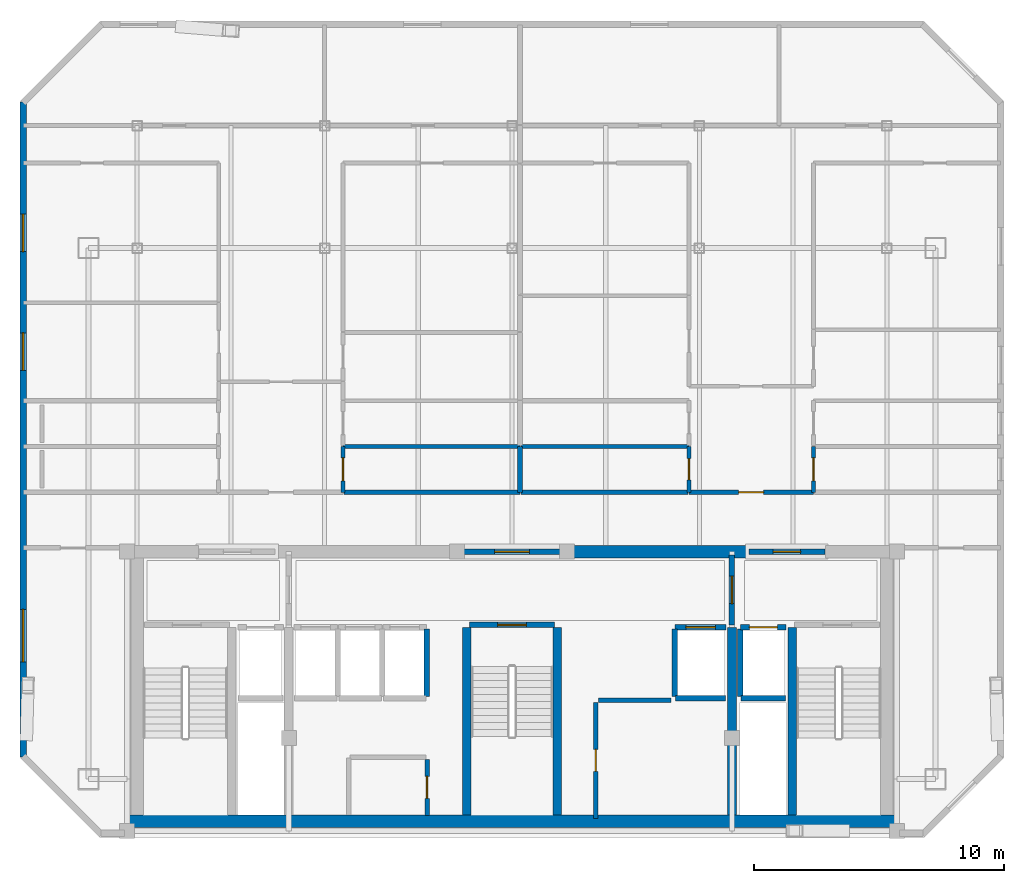
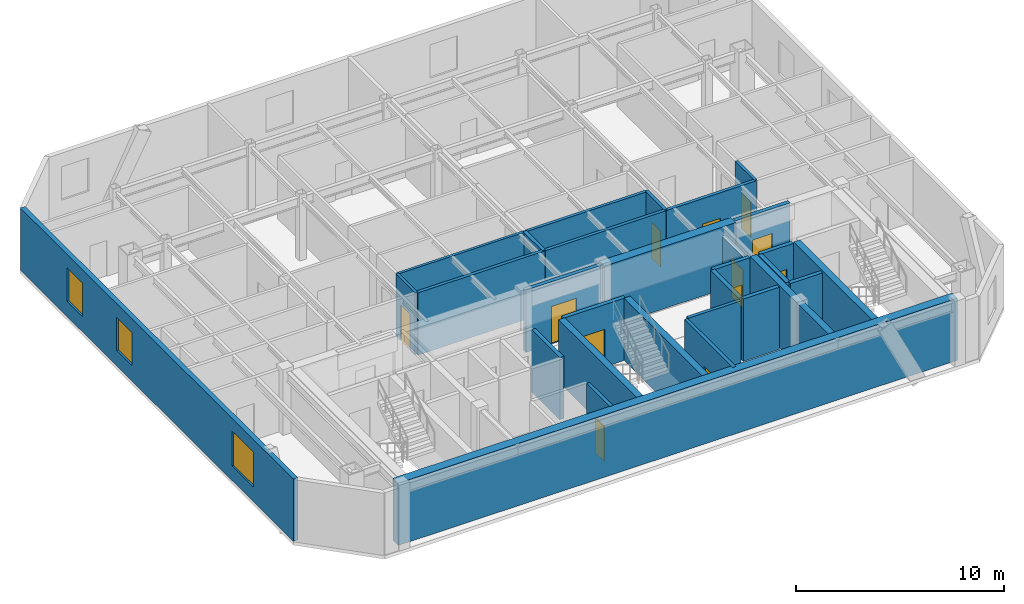
# One storey, part 3 of 7: 30 walls, 12 doors, 3 windows, 15 openings.
"""IFC4 building model written with IfcOpenShell, lengths in metres."""

from ifc_helpers import new_model, si_unit, direction, frame, frame_2d, origin, place, context, subcontext, project, spatial, rectangle, extrude, material, layer, layer_set, type_object, element, fill, save


model = new_model("IFC4")

# Units and contexts
model_context = context("Model", 3, precision=1e-05, world=origin(), true_north=direction((0.0, 1.0)))
body_context = subcontext(model_context, "Body", "Model", "MODEL_VIEW")
ifc_project = project(units=[si_unit("LENGTHUNIT", "METRE"), si_unit("AREAUNIT", "SQUARE_METRE"), si_unit("VOLUMEUNIT", "CUBIC_METRE"), si_unit("PLANEANGLEUNIT", "RADIAN"), si_unit("MASSUNIT", "GRAM", prefix="KILO")], contexts=[model_context])

# Site, building, storey
site_placement = place(None, origin())
site = spatial("IfcSite", under=ifc_project, at=site_placement, CompositionType="ELEMENT")
building_placement = place(site_placement, origin())
building = spatial("IfcBuilding", under=site, at=building_placement, Name="Ventersveld Concourse Tower", CompositionType="ELEMENT")
storey_placement = place(building_placement, frame((0.0, 0.0, 320.75)))
storey = spatial("IfcBuildingStorey", under=building, at=storey_placement, Name="L79", CompositionType="ELEMENT", Elevation=320.75)

# Walls
ifc_material_1 = material(Name="Concrete C50/60", Category="concrete")
ifc_layer_1 = layer(ifc_material_1, 0.35009765625)
ifc_layer_set_1 = layer_set([ifc_layer_1], Name="Concrete C50/60")
wall_type_1 = type_object("IfcWallType", Name="WL-CORE-350U", PredefinedType="SHEAR", material=ifc_layer_set_1)
for number, where, z_axis, x_axis, name in (
    (1, (26.93994140625, 0.919921875, 0.0), (0.0, 0.0, 1.0), (0.0, 1.0, 0.0), "L79 Core Internal Shear Web W-ST3-W"),
    (2, (30.56005859375, 0.919921875, 0.0), (0.0, 0.0, 1.0), (0.0, 1.0, 0.0), "L79 Core Internal Shear Web W-ST3-E"),
    (3, (37.550048828125, 0.919921875, 0.0), (0.0, 0.0, 1.0), (0.0, 1.0, 0.0), "L79 Core Internal Shear Web W-SVL-W"),
    (4, (39.9599609375, 0.919921875, 0.0), (0.0, 0.0, 1.0), (0.0, 1.0, 0.0), "L79 Core Internal Shear Web W-ST2-W"),
):
    element("IfcWall", number, at=place(storey_placement, frame(where, z_axis=z_axis, x_axis=x_axis)), inside=storey, type_object=wall_type_1, Name=name, PredefinedType="SHEAR", context=body_context, shape_type="SweptSolid", body=[
        extrude(rectangle(XDim=7.5, YDim=0.35009765625, at=frame_2d((3.75, 0.0))), origin(), (0.0, 0.0, 1.0), 3.64990234375),
    ])
ifc_layer_2 = layer(ifc_material_1, 0.5)
ifc_layer_set_2 = layer_set([ifc_layer_2], Name="Concrete C50/60")
wall_type_2 = type_object("IfcWallType", Name="WL-CORE-500", PredefinedType="SHEAR", material=ifc_layer_set_2)
wall_1_placement = place(storey_placement, frame((13.25, 0.669921875, 0.0), z_axis=(0.0, 0.0, 1.0), x_axis=(1.0, 0.0, 0.0)))
element("IfcWall", 5, at=wall_1_placement, inside=storey, type_object=wall_type_2, Name="L79 Rear Core South Shear Wall", PredefinedType="SHEAR", context=body_context, shape_type="SweptSolid", body=[
    extrude(rectangle(XDim=31.0, YDim=0.5, at=frame_2d((15.5, 0.0))), origin(), (0.0, 0.0, 1.0), 3.64990234375),
])
wall_2_placement = place(storey_placement, frame((30.89990234375, 11.449951171875, 0.0), z_axis=(0.0, 0.0, 1.0), x_axis=(1.0, 0.0, 0.0)))
element("IfcWall", 6, at=wall_2_placement, inside=storey, type_object=wall_type_2, Name="L79 Rear Core North Shear Wall NMR", PredefinedType="SHEAR", context=body_context, shape_type="SweptSolid", body=[
    extrude(rectangle(XDim=7.300048828125, YDim=0.5, at=frame_2d((3.64990234375, 0.0))), origin(), (0.0, 0.0, 1.0), 3.64990234375),
])

# Wall, opening, door
ifc_material_2 = material(Name="Fire-rated autoclaved aerated masonry blockwork", Category="masonry")
ifc_layer_3 = layer(ifc_material_2, 0.179931640625)
ifc_layer_set_3 = layer_set([ifc_layer_3], Name="Fire-rated autoclaved aerated masonry blockwork")
wall_type_3 = type_object("IfcWallType", Name="WL-CORR-180", PredefinedType="PARTITIONING", material=ifc_layer_set_3)
wall_3_placement = place(storey_placement, frame((25.35009765625, 0.89990234375, 0.0), z_axis=(0.0, 0.0, 1.0), x_axis=(0.0, 1.0, 0.0)))
wall_3 = element("IfcWall", 7, at=wall_3_placement, inside=storey, type_object=wall_type_3, Name="L79 Core Passage Wall SP-L79-RECB1", PredefinedType="PARTITIONING", context=body_context, shape_type="SweptSolid", body=[
    extrude(rectangle(XDim=2.239990234375, YDim=0.179931640625, at=frame_2d((1.1201171875, 0.0))), origin(), (0.0, 0.0, 1.0), 3.64990234375),
])
opening_1_placement = place(wall_3_placement, frame((0.679931640625, 0.0, 0.0)))
opening_1 = element("IfcOpeningElement", 8, at=opening_1_placement, cuts=wall_3, Name="Opening FD5", PredefinedType="OPENING", context=body_context, shape_type="SweptSolid", body=[
    extrude(rectangle(XDim=0.8798828125, YDim=2.050048828125, at=frame_2d((0.43994140625, 1.02490234375))), frame((0.0, 0.10009765625, 0.0), z_axis=(0.0, -1.0, 0.0), x_axis=(1.0, 0.0, 0.0)), (0.0, 0.0, 1.0), 0.199951171875),
])
ifc_material_3 = material(Name="Galvanised painted steel", Category="steel")
door_type_1 = type_object("IfcDoorType", Name="DR-RISER-088", OperationType="NOTDEFINED", PredefinedType="DOOR", material=ifc_material_3)
door_1_placement = place(opening_1_placement, origin())
door_1 = element("IfcDoor", 9, at=door_1_placement, inside=storey, type_object=door_type_1, Name="L79 Core Room Door L79 Reclaimed Core Residents Reading Room (CD-L79-3600)", OperationType="SINGLE_SWING_LEFT", OverallHeight=2.050048828125, OverallWidth=0.8798828125, PredefinedType="DOOR", context=body_context, shape_type="SweptSolid", body=[
    extrude(rectangle(XDim=0.8798828125, YDim=2.050048828125, at=frame_2d((0.43994140625, 1.02490234375))), frame((0.0, 0.02490234375, 0.0), z_axis=(0.0, -1.0, 0.0), x_axis=(1.0, 0.0, 0.0)), (0.0, 0.0, 1.0), 0.050048828125),
])
fill(opening_1, door_1)

wall_4_placement = place(storey_placement, frame((32.10009765625, 0.780029296875, 0.0), z_axis=(0.0, 0.0, 1.0), x_axis=(0.0, 1.0, 0.0)))
wall_4 = element("IfcWall", 10, at=wall_4_placement, inside=storey, type_object=wall_type_3, Name="L79 Core Passage Wall SP-L79-RECB2", PredefinedType="PARTITIONING", context=body_context, shape_type="SweptSolid", body=[
    extrude(rectangle(XDim=4.639892578125, YDim=0.179931640625, at=frame_2d((2.31982421875, 0.0))), origin(), (0.0, 0.0, 1.0), 3.64990234375),
])
opening_2_placement = place(wall_4_placement, frame((1.8798828125, 0.0, 0.0)))
opening_2 = element("IfcOpeningElement", 11, at=opening_2_placement, cuts=wall_4, Name="Opening FD5", PredefinedType="OPENING", context=body_context, shape_type="SweptSolid", body=[
    extrude(rectangle(XDim=0.8798828125, YDim=2.050048828125, at=frame_2d((0.43994140625, 1.02490234375))), frame((0.0, 0.10009765625, 0.0), z_axis=(0.0, -1.0, 0.0), x_axis=(1.0, 0.0, 0.0)), (0.0, 0.0, 1.0), 0.199951171875),
])
door_2_placement = place(opening_2_placement, origin())
door_2 = element("IfcDoor", 12, at=door_2_placement, inside=storey, type_object=door_type_1, Name="L79 Core Room Door L79 Reclaimed Core Wellness Yoga Studio (CD-L79-3601)", OperationType="SINGLE_SWING_RIGHT", OverallHeight=2.050048828125, OverallWidth=0.8798828125, PredefinedType="DOOR", context=body_context, shape_type="SweptSolid", body=[
    extrude(rectangle(XDim=0.8798828125, YDim=2.050048828125, at=frame_2d((0.43994140625, 1.02490234375))), frame((0.0, 0.02490234375, 0.0), z_axis=(0.0, -1.0, 0.0), x_axis=(1.0, 0.0, 0.0)), (0.0, 0.0, 1.0), 0.050048828125),
])
fill(opening_2, door_2)

# Walls
wall_5_placement = place(storey_placement, frame((32.219970703125, 5.5, 0.0), z_axis=(0.0, 0.0, 1.0), x_axis=(1.0, 0.0, 0.0)))
element("IfcWall", 13, at=wall_5_placement, inside=storey, type_object=wall_type_3, Name="L79 Core Top Wall SP-L79-RECB2", PredefinedType="PARTITIONING", context=body_context, shape_type="SweptSolid", body=[
    extrude(rectangle(XDim=2.900146484375, YDim=0.179931640625, at=frame_2d((1.4501953125, 0.0))), origin(), (0.0, 0.0, 1.0), 3.64990234375),
])
wall_6_placement = place(storey_placement, frame((22.027587890625, 13.830078125, 0.0), z_axis=(0.0, 0.0, 1.0), x_axis=(1.0, 0.0, 0.0)))
element("IfcWall", 14, at=wall_6_placement, inside=storey, type_object=wall_type_3, Name="L79 Interior Partition SP-L79-COR-SP-L79-79N1-KIT", PredefinedType="PARTITIONING", context=body_context, shape_type="SweptSolid", body=[
    extrude(rectangle(XDim=7.04931640625, YDim=0.179931640625, at=frame_2d((3.524658203125, 0.0))), origin(), (0.0, 0.0, 1.0), 3.64990234375),
])

# Wall, opening, door
wall_7_placement = place(storey_placement, frame((35.82568359375, 13.830078125, 0.0), z_axis=(0.0, 0.0, 1.0), x_axis=(1.0, 0.0, 0.0)))
wall_7 = element("IfcWall", 15, at=wall_7_placement, inside=storey, type_object=wall_type_3, Name="L79 Interior Partition SP-L79-COR-SP-L79-79N2-FOY", PredefinedType="PARTITIONING", context=body_context, shape_type="SweptSolid", body=[
    extrude(rectangle(XDim=4.989990234375, YDim=0.179931640625, at=frame_2d((2.4951171875, 0.0))), origin(), (0.0, 0.0, 1.0), 3.64990234375),
])
opening_3_placement = place(wall_7_placement, frame((1.9951171875, 0.0, 0.0)))
opening_3 = element("IfcOpeningElement", 16, at=opening_3_placement, cuts=wall_7, Name="Opening FD3", PredefinedType="OPENING", context=body_context, shape_type="SweptSolid", body=[
    extrude(rectangle(XDim=1.0, YDim=2.14990234375, at=frame_2d((0.5, 1.074951171875))), frame((0.0, 0.10009765625, 0.0), z_axis=(0.0, -1.0, 0.0), x_axis=(1.0, 0.0, 0.0)), (0.0, 0.0, 1.0), 0.199951171875),
])
ifc_material_4 = material(Name="Solid-core hardwood veneer timber", Category="wood")
door_type_2 = type_object("IfcDoorType", Name="DR-FLAT-100", OperationType="NOTDEFINED", PredefinedType="DOOR", material=ifc_material_4)
door_3_placement = place(opening_3_placement, origin())
door_3 = element("IfcDoor", 17, at=door_3_placement, inside=storey, type_object=door_type_2, Name="L79 Interior Door SP-L79-COR to SP-L79-79N2-FOY (FD-L79-3605)", OperationType="SINGLE_SWING_LEFT", OverallHeight=2.14990234375, OverallWidth=1.0, PredefinedType="DOOR", context=body_context, shape_type="SweptSolid", body=[
    extrude(rectangle(XDim=1.0, YDim=2.14990234375, at=frame_2d((0.5, 1.074951171875))), frame((0.0, 0.02490234375, 0.0), z_axis=(0.0, -1.0, 0.0), x_axis=(1.0, 0.0, 0.0)), (0.0, 0.0, 1.0), 0.050048828125),
])
fill(opening_3, door_3)

# Walls
wall_8_placement = place(storey_placement, frame((29.10693359375, 13.830078125, 0.0), z_axis=(0.0, 0.0, 1.0), x_axis=(1.0, 0.0, 0.0)))
element("IfcWall", 18, at=wall_8_placement, inside=storey, type_object=wall_type_3, Name="L79 Interior Partition SP-L79-COR-SP-L79-79N2-BATH", PredefinedType="PARTITIONING", context=body_context, shape_type="SweptSolid", body=[
    extrude(rectangle(XDim=6.688720703125, YDim=0.179931640625, at=frame_2d((3.34423828125, 0.0))), origin(), (0.0, 0.0, 1.0), 3.64990234375),
])
ifc_layer_4 = layer(ifc_material_2, 0.199951171875)
ifc_layer_set_4 = layer_set([ifc_layer_4], Name="Fire-rated autoclaved aerated masonry blockwork")
wall_type_4 = type_object("IfcWallType", Name="WL-DEMISE-200", PredefinedType="PARTITIONING", material=ifc_layer_set_4)
wall_9_placement = place(storey_placement, frame((29.072021484375, 13.824951171875, 0.0), z_axis=(0.0, 0.0, 1.0), x_axis=(0.0, 1.0, 0.0)))
element("IfcWall", 19, at=wall_9_placement, inside=storey, type_object=wall_type_4, Name="L79 Interior Partition SP-L79-79N1-KIT-SP-L79-79N2-BATH", PredefinedType="PARTITIONING", context=body_context, shape_type="SweptSolid", body=[
    extrude(rectangle(XDim=1.840087890625, YDim=0.199951171875, at=frame_2d((0.919921875, 0.0))), origin(), (0.0, 0.0, 1.0), 3.64990234375),
])
ifc_layer_5 = layer(ifc_material_2, 0.219970703125)
ifc_layer_set_5 = layer_set([ifc_layer_5], Name="Fire-rated autoclaved aerated masonry blockwork")
wall_type_5 = type_object("IfcWallType", Name="WL-HOIST-220", PredefinedType="SOLIDWALL", material=ifc_layer_set_5)
wall_10_placement = place(storey_placement, frame((37.919921875, 5.590087890625, 0.0), z_axis=(0.0, 0.0, 1.0), x_axis=(1.0, 0.0, 0.0)))
element("IfcWall", 20, at=wall_10_placement, inside=storey, type_object=wall_type_5, Name="L79 Lift Hoistway Back Wall FFL-02", PredefinedType="SOLIDWALL", context=body_context, shape_type="SweptSolid", body=[
    extrude(rectangle(XDim=1.780029296875, YDim=0.219970703125, at=frame_2d((0.89013671875, 0.0))), origin(), (0.0, 0.0, 1.0), 3.64990234375),
])
wall_11_placement = place(storey_placement, frame((37.8798828125, 5.64990234375, 0.0), z_axis=(0.0, 0.0, 1.0), x_axis=(0.0, 1.0, 0.0)))
element("IfcWall", 21, at=wall_11_placement, inside=storey, type_object=wall_type_5, Name="L79 Lift Hoistway Side Wall FFL-02W", PredefinedType="SOLIDWALL", context=body_context, shape_type="SweptSolid", body=[
    extrude(rectangle(XDim=2.7001953125, YDim=0.219970703125, at=frame_2d((1.35009765625, 0.0))), origin(), (0.0, 0.0, 1.0), 3.64990234375),
])

# Wall, opening, door
wall_12_placement = place(storey_placement, frame((37.89990234375, 8.429931640625, 0.0), z_axis=(0.0, 0.0, 1.0), x_axis=(1.0, 0.0, 0.0)))
wall_12 = element("IfcWall", 22, at=wall_12_placement, inside=storey, type_object=wall_type_5, Name="L79 Lift Hoistway Front Wall FFL-02", PredefinedType="SOLIDWALL", context=body_context, shape_type="SweptSolid", body=[
    extrude(rectangle(XDim=1.820068359375, YDim=0.219970703125, at=frame_2d((0.91015625, 0.0))), origin(), (0.0, 0.0, 1.0), 3.64990234375),
])
opening_4_placement = place(wall_12_placement, frame((0.35009765625, 0.0, 0.0)))
opening_4 = element("IfcOpeningElement", 23, at=opening_4_placement, cuts=wall_12, Name="Opening LD1", PredefinedType="OPENING", context=body_context, shape_type="SweptSolid", body=[
    extrude(rectangle(XDim=1.1201171875, YDim=2.25, at=frame_2d((0.56005859375, 1.125))), frame((0.0, 0.1201171875, 0.0), z_axis=(0.0, -1.0, 0.0), x_axis=(1.0, 0.0, 0.0)), (0.0, 0.0, 1.0), 0.239990234375),
])
ifc_material_5 = material(Name="Brushed stainless steel 316", Category="steel")
door_type_3 = type_object("IfcDoorType", Name="LD-FF-112", OperationType="SLIDING_TO_LEFT", PredefinedType="DOOR", material=ifc_material_5)
door_4_placement = place(opening_4_placement, origin())
door_4 = element("IfcDoor", 24, at=door_4_placement, inside=storey, type_object=door_type_3, Name="L79 Lift landing door FFL-02 (LD-L79-FFL-02)", OperationType="SLIDING_TO_LEFT", OverallHeight=2.25, OverallWidth=1.1201171875, PredefinedType="DOOR", context=body_context, shape_type="SweptSolid", body=[
    extrude(rectangle(XDim=1.1201171875, YDim=2.25, at=frame_2d((0.56005859375, 1.125))), frame((0.0, 0.02490234375, 0.0), z_axis=(0.0, -1.0, 0.0), x_axis=(1.0, 0.0, 0.0)), (0.0, 0.0, 1.0), 0.050048828125),
])
fill(opening_4, door_4)

# Walls
wall_13_placement = place(storey_placement, frame((35.300048828125, 5.590087890625, 0.0), z_axis=(0.0, 0.0, 1.0), x_axis=(1.0, 0.0, 0.0)))
element("IfcWall", 25, at=wall_13_placement, inside=storey, type_object=wall_type_5, Name="L79 Lift Hoistway Back Wall SVL-01", PredefinedType="SOLIDWALL", context=body_context, shape_type="SweptSolid", body=[
    extrude(rectangle(XDim=2.0, YDim=0.219970703125, at=frame_2d((1.0, 0.0))), origin(), (0.0, 0.0, 1.0), 3.64990234375),
])
wall_14_placement = place(storey_placement, frame((35.260009765625, 5.64990234375, 0.0), z_axis=(0.0, 0.0, 1.0), x_axis=(0.0, 1.0, 0.0)))
element("IfcWall", 26, at=wall_14_placement, inside=storey, type_object=wall_type_5, Name="L79 Lift Hoistway Side Wall SVL-01W", PredefinedType="SOLIDWALL", context=body_context, shape_type="SweptSolid", body=[
    extrude(rectangle(XDim=2.7001953125, YDim=0.219970703125, at=frame_2d((1.35009765625, 0.0))), origin(), (0.0, 0.0, 1.0), 3.64990234375),
])

# Wall, opening, door
wall_15_placement = place(storey_placement, frame((35.280029296875, 8.429931640625, 0.0), z_axis=(0.0, 0.0, 1.0), x_axis=(1.0, 0.0, 0.0)))
wall_15 = element("IfcWall", 27, at=wall_15_placement, inside=storey, type_object=wall_type_5, Name="L79 Lift Hoistway Front Wall SVL-01", PredefinedType="SOLIDWALL", context=body_context, shape_type="SweptSolid", body=[
    extrude(rectangle(XDim=2.0400390625, YDim=0.219970703125, at=frame_2d((1.02001953125, 0.0))), origin(), (0.0, 0.0, 1.0), 3.64990234375),
])
opening_5_placement = place(wall_15_placement, frame((0.429931640625, 0.0, 0.0)))
opening_5 = element("IfcOpeningElement", 28, at=opening_5_placement, cuts=wall_15, Name="Opening LD2", PredefinedType="OPENING", context=body_context, shape_type="SweptSolid", body=[
    extrude(rectangle(XDim=1.179931640625, YDim=2.199951171875, at=frame_2d((0.58984375, 1.10009765625))), frame((0.0, 0.1201171875, 0.0), z_axis=(0.0, -1.0, 0.0), x_axis=(1.0, 0.0, 0.0)), (0.0, 0.0, 1.0), 0.239990234375),
])
door_type_4 = type_object("IfcDoorType", Name="LD-PAX-118", OperationType="SLIDING_TO_LEFT", PredefinedType="DOOR", material=ifc_material_5)
door_5_placement = place(opening_5_placement, origin())
door_5 = element("IfcDoor", 29, at=door_5_placement, inside=storey, type_object=door_type_4, Name="L79 Lift landing door SVL-01 (LD-L79-SVL-01)", OperationType="SLIDING_TO_RIGHT", OverallHeight=2.199951171875, OverallWidth=1.179931640625, PredefinedType="DOOR", context=body_context, shape_type="SweptSolid", body=[
    extrude(rectangle(XDim=1.179931640625, YDim=2.199951171875, at=frame_2d((0.58984375, 1.10009765625))), frame((0.0, 0.02490234375, 0.0), z_axis=(0.0, -1.0, 0.0), x_axis=(1.0, 0.0, 0.0)), (0.0, 0.0, 1.0), 0.050048828125),
])
fill(opening_5, door_5)

# Wall
wall_16_placement = place(storey_placement, frame((25.340087890625, 5.64990234375, 0.0), z_axis=(0.0, 0.0, 1.0), x_axis=(0.0, 1.0, 0.0)))
element("IfcWall", 30, at=wall_16_placement, inside=storey, type_object=wall_type_5, Name="L79 Lift Hoistway Side Wall PH-03E", PredefinedType="SOLIDWALL", context=body_context, shape_type="SweptSolid", body=[
    extrude(rectangle(XDim=2.7001953125, YDim=0.219970703125, at=frame_2d((1.35009765625, 0.0))), origin(), (0.0, 0.0, 1.0), 3.64990234375),
])

# Wall, opening, door
wall_17_placement = place(storey_placement, frame((27.0400390625, 8.52001953125, 0.0), z_axis=(0.0, 0.0, 1.0), x_axis=(1.0, 0.0, 0.0)))
wall_17 = element("IfcWall", 31, at=wall_17_placement, inside=storey, type_object=wall_type_5, Name="L79 Escape Stair ST03 Fire Wall", PredefinedType="SOLIDWALL", context=body_context, shape_type="SweptSolid", body=[
    extrude(rectangle(XDim=3.419921875, YDim=0.219970703125, at=frame_2d((1.7099609375, 0.0))), origin(), (0.0, 0.0, 1.0), 3.64990234375),
])
opening_6_placement = place(wall_17_placement, frame((1.135009765625, 0.0, 0.0)))
opening_6 = element("IfcOpeningElement", 32, at=opening_6_placement, cuts=wall_17, Name="Opening FD1", PredefinedType="OPENING", context=body_context, shape_type="SweptSolid", body=[
    extrude(rectangle(XDim=1.14990234375, YDim=2.199951171875, at=frame_2d((0.574951171875, 1.10009765625))), frame((0.0, 0.1201171875, 0.0), z_axis=(0.0, -1.0, 0.0), x_axis=(1.0, 0.0, 0.0)), (0.0, 0.0, 1.0), 0.239990234375),
])
door_type_5 = type_object("IfcDoorType", Name="DR-STAIR-115", OperationType="NOTDEFINED", PredefinedType="DOOR", material=ifc_material_3)
door_6_placement = place(opening_6_placement, origin())
door_6 = element("IfcDoor", 33, at=door_6_placement, inside=storey, type_object=door_type_5, Name="L79 Escape Stair Door ST03 (SD-L79-3594)", OperationType="SINGLE_SWING_LEFT", OverallHeight=2.199951171875, OverallWidth=1.14990234375, PredefinedType="DOOR", context=body_context, shape_type="SweptSolid", body=[
    extrude(rectangle(XDim=1.14990234375, YDim=2.199951171875, at=frame_2d((0.574951171875, 1.10009765625))), frame((0.0, 0.02490234375, 0.0), z_axis=(0.0, -1.0, 0.0), x_axis=(1.0, 0.0, 0.0)), (0.0, 0.0, 1.0), 0.050048828125),
])
fill(opening_6, door_6)

wall_18_placement = place(storey_placement, frame((37.550048828125, 8.52001953125, 0.0), z_axis=(0.0, 0.0, 1.0), x_axis=(0.0, 1.0, 0.0)))
wall_18 = element("IfcWall", 34, at=wall_18_placement, inside=storey, type_object=wall_type_5, Name="L79 Firefighting Lobby Smoke-Stop Wall FFLE-SEP", PredefinedType="SOLIDWALL", context=body_context, shape_type="SweptSolid", body=[
    extrude(rectangle(XDim=2.800048828125, YDim=0.219970703125, at=frame_2d((1.39990234375, 0.0))), origin(), (0.0, 0.0, 1.0), 3.10546875),
])
opening_7_placement = place(wall_18_placement, frame((0.85009765625, 0.0, 0.0)))
opening_7 = element("IfcOpeningElement", 35, at=opening_7_placement, cuts=wall_18, Name="Opening FD2", PredefinedType="OPENING", context=body_context, shape_type="SweptSolid", body=[
    extrude(rectangle(XDim=1.10009765625, YDim=2.199951171875, at=frame_2d((0.550048828125, 1.10009765625))), frame((0.0, 0.1201171875, 0.0), z_axis=(0.0, -1.0, 0.0), x_axis=(1.0, 0.0, 0.0)), (0.0, 0.0, 1.0), 0.239990234375),
])
door_type_6 = type_object("IfcDoorType", Name="DR-FFL-110", OperationType="NOTDEFINED", PredefinedType="DOOR", material=ifc_material_3)
door_7_placement = place(opening_7_placement, origin())
door_7 = element("IfcDoor", 36, at=door_7_placement, inside=storey, type_object=door_type_6, Name="L79 Firefighting Lobby Door FFLE-SEP (FD-L79-3596)", OperationType="SINGLE_SWING_RIGHT", OverallHeight=2.199951171875, OverallWidth=1.10009765625, PredefinedType="DOOR", context=body_context, shape_type="SweptSolid", body=[
    extrude(rectangle(XDim=1.10009765625, YDim=2.199951171875, at=frame_2d((0.550048828125, 1.10009765625))), frame((0.0, 0.02490234375, 0.0), z_axis=(0.0, -1.0, 0.0), x_axis=(1.0, 0.0, 0.0)), (0.0, 0.0, 1.0), 0.050048828125),
])
fill(opening_7, door_7)

wall_19_placement = place(storey_placement, frame((26.6298828125, 11.449951171875, 0.0), z_axis=(0.0, 0.0, 1.0), x_axis=(1.0, 0.0, 0.0)))
wall_19 = element("IfcWall", 37, at=wall_19_placement, inside=storey, type_object=wall_type_5, Name="L79 Core North Fire Portal PLOB-OUT", PredefinedType="SOLIDWALL", context=body_context, shape_type="SweptSolid", body=[
    extrude(rectangle(XDim=4.240234375, YDim=0.219970703125, at=frame_2d((2.1201171875, 0.0))), origin(), (0.0, 0.0, 1.0), 3.64990234375),
])
opening_8_placement = place(wall_19_placement, frame((1.419921875, 0.0, 0.0)))
opening_8 = element("IfcOpeningElement", 38, at=opening_8_placement, cuts=wall_19, Name="Opening FD4", PredefinedType="OPENING", context=body_context, shape_type="SweptSolid", body=[
    extrude(rectangle(XDim=1.39990234375, YDim=2.199951171875, at=frame_2d((0.699951171875, 1.10009765625))), frame((0.0, 0.1201171875, 0.0), z_axis=(0.0, -1.0, 0.0), x_axis=(1.0, 0.0, 0.0)), (0.0, 0.0, 1.0), 0.239990234375),
])
door_type_7 = type_object("IfcDoorType", Name="DR-PLANT-140", OperationType="DOUBLE_DOOR_SINGLE_SWING", PredefinedType="DOOR", material=ifc_material_3)
door_8_placement = place(opening_8_placement, origin())
door_8 = element("IfcDoor", 39, at=door_8_placement, inside=storey, type_object=door_type_7, Name="L79 Core Lobby Fire Door PLOB-OUT (FD-L79-3598)", OperationType="DOUBLE_DOOR_SINGLE_SWING", OverallHeight=2.199951171875, OverallWidth=1.39990234375, PredefinedType="DOOR", context=body_context, shape_type="SweptSolid", body=[
    extrude(rectangle(XDim=1.39990234375, YDim=2.199951171875, at=frame_2d((0.699951171875, 1.10009765625))), frame((0.0, 0.02490234375, 0.0), z_axis=(0.0, -1.0, 0.0), x_axis=(1.0, 0.0, 0.0)), (0.0, 0.0, 1.0), 0.050048828125),
])
fill(opening_8, door_8)

wall_20_placement = place(storey_placement, frame((38.22998046875, 11.449951171875, 0.0), z_axis=(0.0, 0.0, 1.0), x_axis=(1.0, 0.0, 0.0)))
wall_20 = element("IfcWall", 40, at=wall_20_placement, inside=storey, type_object=wall_type_5, Name="L79 Core North Fire Portal FFLE-OUT", PredefinedType="SOLIDWALL", context=body_context, shape_type="SweptSolid", body=[
    extrude(rectangle(XDim=3.0400390625, YDim=0.219970703125, at=frame_2d((1.52001953125, 0.0))), origin(), (0.0, 0.0, 1.0), 3.64990234375),
])
opening_9_placement = place(wall_20_placement, frame((0.969970703125, 0.0, 0.0)))
opening_9 = element("IfcOpeningElement", 41, at=opening_9_placement, cuts=wall_20, Name="Opening FD2", PredefinedType="OPENING", context=body_context, shape_type="SweptSolid", body=[
    extrude(rectangle(XDim=1.10009765625, YDim=2.199951171875, at=frame_2d((0.550048828125, 1.10009765625))), frame((0.0, 0.1201171875, 0.0), z_axis=(0.0, -1.0, 0.0), x_axis=(1.0, 0.0, 0.0)), (0.0, 0.0, 1.0), 0.239990234375),
])
door_9_placement = place(opening_9_placement, origin())
door_9 = element("IfcDoor", 42, at=door_9_placement, inside=storey, type_object=door_type_6, Name="L79 Core Lobby Fire Door FFLE-OUT (FD-L79-3599)", OperationType="SINGLE_SWING_LEFT", OverallHeight=2.199951171875, OverallWidth=1.10009765625, PredefinedType="DOOR", context=body_context, shape_type="SweptSolid", body=[
    extrude(rectangle(XDim=1.10009765625, YDim=2.199951171875, at=frame_2d((0.550048828125, 1.10009765625))), frame((0.0, 0.02490234375, 0.0), z_axis=(0.0, -1.0, 0.0), x_axis=(1.0, 0.0, 0.0)), (0.0, 0.0, 1.0), 0.050048828125),
])
fill(opening_9, door_9)

ifc_material_6 = material(Name="Autoclaved aerated masonry blockwork", Category="masonry")
ifc_layer_6 = layer(ifc_material_6, 0.14990234375)
ifc_layer_set_6 = layer_set([ifc_layer_6], Name="Autoclaved aerated masonry blockwork")
wall_type_6 = type_object("IfcWallType", Name="WL-INT-150", PredefinedType="PARTITIONING", material=ifc_layer_set_6)
wall_21_placement = place(storey_placement, frame((21.99267578125, 13.824951171875, 0.0), z_axis=(0.0, 0.0, 1.0), x_axis=(0.0, 1.0, 0.0)))
wall_21 = element("IfcWall", 43, at=wall_21_placement, inside=storey, type_object=wall_type_6, Name="L79 Interior Partition SP-L79-79N1-FOY-SP-L79-79N1-KIT", PredefinedType="PARTITIONING", context=body_context, shape_type="SweptSolid", body=[
    extrude(rectangle(XDim=1.840087890625, YDim=0.14990234375, at=frame_2d((0.919921875, 0.0))), origin(), (0.0, 0.0, 1.0), 3.64990234375),
])
opening_10_placement = place(wall_21_placement, frame((0.4599609375, 0.0, 0.0)))
opening_10 = element("IfcOpeningElement", 44, at=opening_10_placement, cuts=wall_21, Name="Opening ID1", PredefinedType="OPENING", context=body_context, shape_type="SweptSolid", body=[
    extrude(rectangle(XDim=0.919921875, YDim=2.10009765625, at=frame_2d((0.4599609375, 1.050048828125))), frame((0.0, 0.0849609375, 0.0), z_axis=(0.0, -1.0, 0.0), x_axis=(1.0, 0.0, 0.0)), (0.0, 0.0, 1.0), 0.169921875),
])
door_type_8 = type_object("IfcDoorType", Name="DR-ROOM-092", OperationType="NOTDEFINED", PredefinedType="DOOR", material=ifc_material_4)
door_10_placement = place(opening_10_placement, origin())
door_10 = element("IfcDoor", 45, at=door_10_placement, inside=storey, type_object=door_type_8, Name="L79 Interior Door SP-L79-79N1-FOY to SP-L79-79N1-KIT (D-L79-3609)", OperationType="SINGLE_SWING_LEFT", OverallHeight=2.10009765625, OverallWidth=0.919921875, PredefinedType="DOOR", context=body_context, shape_type="SweptSolid", body=[
    extrude(rectangle(XDim=0.919921875, YDim=2.10009765625, at=frame_2d((0.4599609375, 1.050048828125))), frame((0.0, 0.02490234375, 0.0), z_axis=(0.0, -1.0, 0.0), x_axis=(1.0, 0.0, 0.0)), (0.0, 0.0, 1.0), 0.050048828125),
])
fill(opening_10, door_10)

# Wall
wall_22_placement = place(storey_placement, frame((21.987548828125, 15.659912109375, 0.0), z_axis=(0.0, 0.0, 1.0), x_axis=(1.0, 0.0, 0.0)))
element("IfcWall", 46, at=wall_22_placement, inside=storey, type_object=wall_type_6, Name="L79 Interior Partition SP-L79-79N1-KIT-SP-L79-79N1-PANR1", PredefinedType="PARTITIONING", context=body_context, shape_type="SweptSolid", body=[
    extrude(rectangle(XDim=7.08935546875, YDim=0.14990234375, at=frame_2d((3.544677734375, 0.0))), origin(), (0.0, 0.0, 1.0), 3.64990234375),
])

# Wall, opening, door
wall_23_placement = place(storey_placement, frame((40.810546875, 13.824951171875, 0.0), z_axis=(0.0, 0.0, 1.0), x_axis=(0.0, 1.0, 0.0)))
wall_23 = element("IfcWall", 47, at=wall_23_placement, inside=storey, type_object=wall_type_6, Name="L79 Interior Partition SP-L79-79N2-FOY-SP-L79-79N2-KIT", PredefinedType="PARTITIONING", context=body_context, shape_type="SweptSolid", body=[
    extrude(rectangle(XDim=1.840087890625, YDim=0.14990234375, at=frame_2d((0.919921875, 0.0))), origin(), (0.0, 0.0, 1.0), 3.64990234375),
])
opening_11_placement = place(wall_23_placement, frame((0.4599609375, 0.0, 0.0)))
opening_11 = element("IfcOpeningElement", 48, at=opening_11_placement, cuts=wall_23, Name="Opening ID1", PredefinedType="OPENING", context=body_context, shape_type="SweptSolid", body=[
    extrude(rectangle(XDim=0.919921875, YDim=2.10009765625, at=frame_2d((0.4599609375, 1.050048828125))), frame((0.0, 0.0849609375, 0.0), z_axis=(0.0, -1.0, 0.0), x_axis=(1.0, 0.0, 0.0)), (0.0, 0.0, 1.0), 0.169921875),
])
door_11_placement = place(opening_11_placement, origin())
door_11 = element("IfcDoor", 49, at=door_11_placement, inside=storey, type_object=door_type_8, Name="L79 Interior Door SP-L79-79N2-FOY to SP-L79-79N2-KIT (D-L79-3620)", OperationType="SINGLE_SWING_RIGHT", OverallHeight=2.10009765625, OverallWidth=0.919921875, PredefinedType="DOOR", context=body_context, shape_type="SweptSolid", body=[
    extrude(rectangle(XDim=0.919921875, YDim=2.10009765625, at=frame_2d((0.4599609375, 1.050048828125))), frame((0.0, 0.02490234375, 0.0), z_axis=(0.0, -1.0, 0.0), x_axis=(1.0, 0.0, 0.0)), (0.0, 0.0, 1.0), 0.050048828125),
])
fill(opening_11, door_11)

# Wall, openings, windows
ifc_material_7 = material(Name="Precast concrete C45/55", Category="concrete")
ifc_layer_7 = layer(ifc_material_7, 0.260009765625)
ifc_layer_set_7 = layer_set([ifc_layer_7], Name="Precast concrete C45/55")
wall_type_7 = type_object("IfcWallType", Name="WL-PREC-260", PredefinedType="SOLIDWALL", material=ifc_layer_set_7)
wall_24_placement = place(storey_placement, frame((9.194091796875, 29.436279296875, 0.0), z_axis=(0.0, 0.0, 1.0), x_axis=(0.0, -1.0, 0.0)))
wall_24 = element("IfcWall", 50, at=wall_24_placement, inside=storey, type_object=wall_type_7, Name="L79 Highveld Precast Facade Wall E07", PredefinedType="SOLIDWALL", context=body_context, shape_type="SweptSolid", body=[
    extrude(rectangle(XDim=26.1962890625, YDim=0.260009765625, at=frame_2d((13.09814453125, 0.0))), origin(), (0.0, 0.0, 1.0), 3.64990234375),
])
opening_12_placement = place(wall_24_placement, frame((20.296142578125, 0.0, 0.85009765625)))
opening_12 = element("IfcOpeningElement", 51, at=opening_12_placement, cuts=wall_24, Name="Opening W7", PredefinedType="OPENING", context=body_context, shape_type="SweptSolid", body=[
    extrude(rectangle(XDim=2.10009765625, YDim=2.050048828125, at=frame_2d((1.050048828125, 1.02490234375))), frame((0.0, 0.14013671875, 0.0), z_axis=(0.0, -1.0, 0.0), x_axis=(1.0, 0.0, 0.0)), (0.0, 0.0, 1.0), 0.280029296875),
])
opening_13_placement = place(wall_24_placement, frame((9.235107421875, 0.0, 0.89990234375)))
opening_13 = element("IfcOpeningElement", 52, at=opening_13_placement, cuts=wall_24, Name="Opening W1", PredefinedType="OPENING", context=body_context, shape_type="SweptSolid", body=[
    extrude(rectangle(XDim=1.5, YDim=1.949951171875, at=frame_2d((0.75, 0.97509765625))), frame((0.0, 0.14013671875, 0.0), z_axis=(0.0, -1.0, 0.0), x_axis=(1.0, 0.0, 0.0)), (0.0, 0.0, 1.0), 0.280029296875),
])
opening_14_placement = place(wall_24_placement, frame((4.47998046875, 0.0, 0.89990234375)))
opening_14 = element("IfcOpeningElement", 53, at=opening_14_placement, cuts=wall_24, Name="Opening W1", PredefinedType="OPENING", context=body_context, shape_type="SweptSolid", body=[
    extrude(rectangle(XDim=1.5, YDim=1.949951171875, at=frame_2d((0.75, 0.97509765625))), frame((0.0, 0.14013671875, 0.0), z_axis=(0.0, -1.0, 0.0), x_axis=(1.0, 0.0, 0.0)), (0.0, 0.0, 1.0), 0.280029296875),
])
ifc_material_8 = material(Name="Tempered acoustic Low-E IGU", Category="glass")
window_type_1 = type_object("IfcWindowType", Name="WIN-150x210", PartitioningType="SINGLE_PANEL", PredefinedType="WINDOW", material=ifc_material_8)
window_1_placement = place(opening_13_placement, origin())
window_1 = element("IfcWindow", 54, at=window_1_placement, inside=storey, type_object=window_type_1, Name="L79 Punched Low-E Window W-1117", OverallHeight=1.949951171875, OverallWidth=1.5, PartitioningType="SINGLE_PANEL", PredefinedType="WINDOW", context=body_context, shape_type="SweptSolid", body=[
    extrude(rectangle(XDim=1.5, YDim=1.949951171875, at=frame_2d((0.75, 0.97509765625))), frame((0.0, 0.030029296875, 0.0), z_axis=(0.0, -1.0, 0.0), x_axis=(1.0, 0.0, 0.0)), (0.0, 0.0, 1.0), 0.06005859375),
])
fill(opening_13, window_1)
window_2_placement = place(opening_14_placement, origin())
window_2 = element("IfcWindow", 55, at=window_2_placement, inside=storey, type_object=window_type_1, Name="L79 Punched Low-E Window W-1118", OverallHeight=1.949951171875, OverallWidth=1.5, PartitioningType="SINGLE_PANEL", PredefinedType="WINDOW", context=body_context, shape_type="SweptSolid", body=[
    extrude(rectangle(XDim=1.5, YDim=1.949951171875, at=frame_2d((0.75, 0.97509765625))), frame((0.0, 0.030029296875, 0.0), z_axis=(0.0, -1.0, 0.0), x_axis=(1.0, 0.0, 0.0)), (0.0, 0.0, 1.0), 0.06005859375),
])
fill(opening_14, window_2)
window_type_2 = type_object("IfcWindowType", Name="WIN-210x205", PartitioningType="SINGLE_PANEL", PredefinedType="WINDOW", material=ifc_material_8)
window_3_placement = place(opening_12_placement, origin())
window_3 = element("IfcWindow", 56, at=window_3_placement, inside=storey, type_object=window_type_2, Name="L79 Punched Low-E Window W-1115", OverallHeight=2.050048828125, OverallWidth=2.10009765625, PartitioningType="SINGLE_PANEL", PredefinedType="WINDOW", context=body_context, shape_type="SweptSolid", body=[
    extrude(rectangle(XDim=2.10009765625, YDim=2.050048828125, at=frame_2d((1.050048828125, 1.02490234375))), frame((0.0, 0.030029296875, 0.0), z_axis=(0.0, -1.0, 0.0), x_axis=(1.0, 0.0, 0.0)), (0.0, 0.0, 1.0), 0.06005859375),
])
fill(opening_12, window_3)

# Wall, opening, door
ifc_layer_8 = layer(ifc_material_6, 0.1650390625)
ifc_layer_set_8 = layer_set([ifc_layer_8], Name="Autoclaved aerated masonry blockwork")
wall_type_8 = type_object("IfcWallType", Name="WL-WET-165", PredefinedType="PLUMBINGWALL", material=ifc_layer_set_8)
wall_25_placement = place(storey_placement, frame((35.83056640625, 13.824951171875, 0.0), z_axis=(0.0, 0.0, 1.0), x_axis=(0.0, 1.0, 0.0)))
wall_25 = element("IfcWall", 57, at=wall_25_placement, inside=storey, type_object=wall_type_8, Name="L79 Interior Partition SP-L79-79N2-FOY-SP-L79-79N2-BATH", PredefinedType="PLUMBINGWALL", context=body_context, shape_type="SweptSolid", body=[
    extrude(rectangle(XDim=1.840087890625, YDim=0.1650390625, at=frame_2d((0.919921875, 0.0))), origin(), (0.0, 0.0, 1.0), 3.64990234375),
])
opening_15_placement = place(wall_25_placement, frame((0.4951171875, 0.0, 0.0)))
opening_15 = element("IfcOpeningElement", 58, at=opening_15_placement, cuts=wall_25, Name="Opening ID2", PredefinedType="OPENING", context=body_context, shape_type="SweptSolid", body=[
    extrude(rectangle(XDim=0.85009765625, YDim=2.10009765625, at=frame_2d((0.425048828125, 1.050048828125))), frame((0.0, 0.092529296875, 0.0), z_axis=(0.0, -1.0, 0.0), x_axis=(1.0, 0.0, 0.0)), (0.0, 0.0, 1.0), 0.18505859375),
])
door_type_9 = type_object("IfcDoorType", Name="DR-BATH-085", OperationType="NOTDEFINED", PredefinedType="DOOR", material=ifc_material_4)
door_12_placement = place(opening_15_placement, origin())
door_12 = element("IfcDoor", 59, at=door_12_placement, inside=storey, type_object=door_type_9, Name="L79 Interior Door SP-L79-79N2-FOY to SP-L79-79N2-BATH (D-L79-3618)", OperationType="SINGLE_SWING_RIGHT", OverallHeight=2.10009765625, OverallWidth=0.85009765625, PredefinedType="DOOR", context=body_context, shape_type="SweptSolid", body=[
    extrude(rectangle(XDim=0.85009765625, YDim=2.10009765625, at=frame_2d((0.425048828125, 1.050048828125))), frame((0.0, 0.02490234375, 0.0), z_axis=(0.0, -1.0, 0.0), x_axis=(1.0, 0.0, 0.0)), (0.0, 0.0, 1.0), 0.050048828125),
])
fill(opening_15, door_12)

# Wall
wall_26_placement = place(storey_placement, frame((29.10693359375, 15.659912109375, 0.0), z_axis=(0.0, 0.0, 1.0), x_axis=(1.0, 0.0, 0.0)))
element("IfcWall", 60, at=wall_26_placement, inside=storey, type_object=wall_type_8, Name="L79 Interior Partition SP-L79-79N2-BATH-SP-L79-79N2-PWDL4", PredefinedType="PLUMBINGWALL", context=body_context, shape_type="SweptSolid", body=[
    extrude(rectangle(XDim=6.728759765625, YDim=0.1650390625, at=frame_2d((3.3642578125, 0.0))), origin(), (0.0, 0.0, 1.0), 3.64990234375),
])

save(model, "model.ifc")
